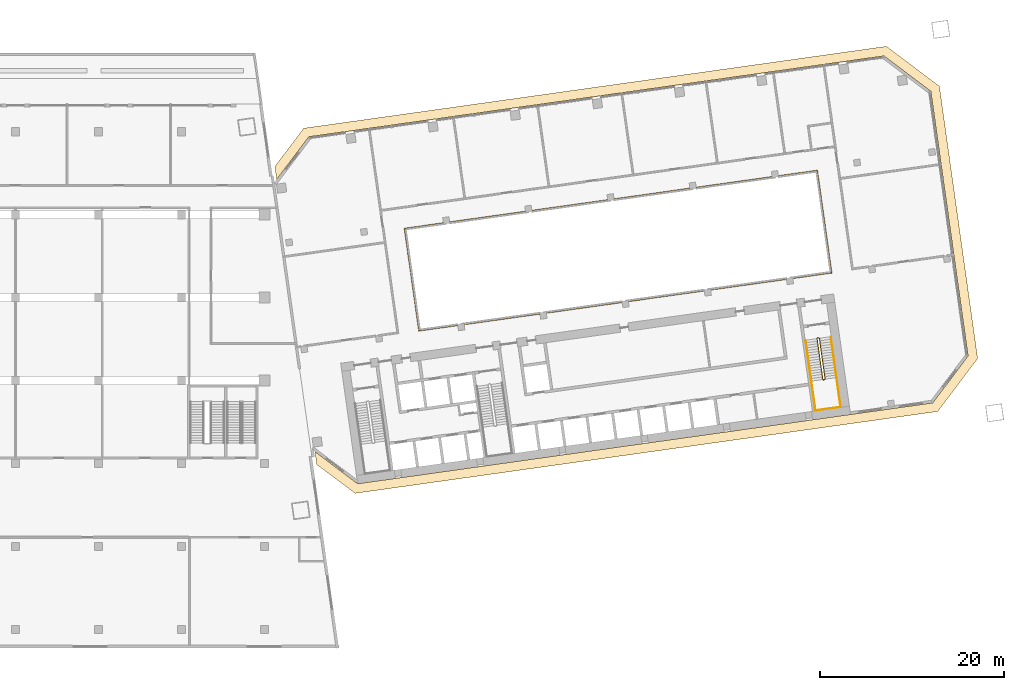
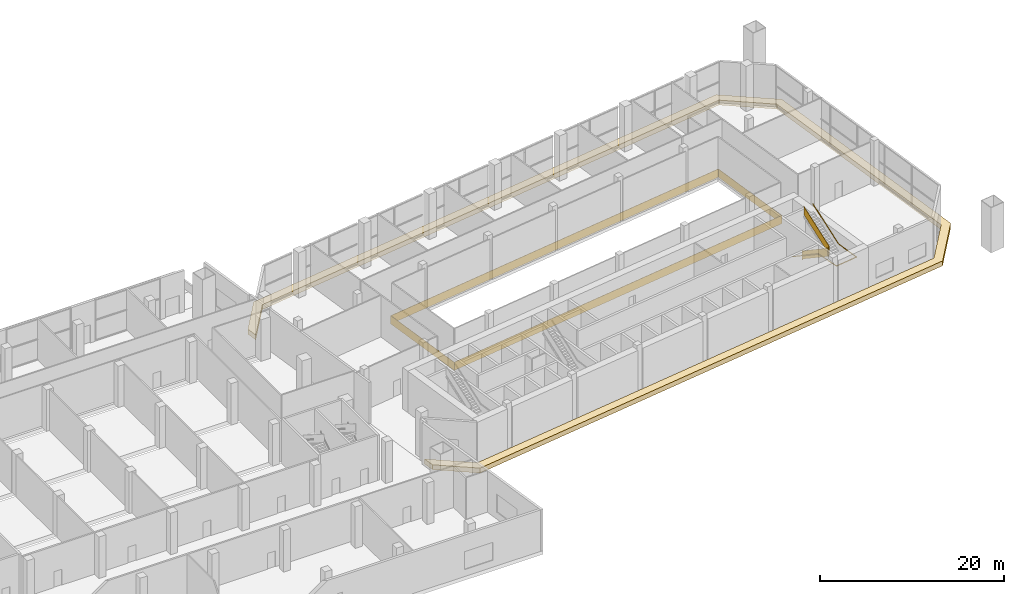
# One storey, part 24 of 24: 3 railings, 1 covering.
"""IFC4 building model written with IfcOpenShell, lengths in metres."""

from ifc_helpers import new_model, si_unit, direction, frame, origin, origin_2d, place, context, subcontext, project, spatial, polyline, rectangle, outline, extrude, material, layer, layer_set, type_object, element, save


model = new_model("IFC4")

# Units and contexts
model_context = context("Model", 3, precision=1e-05, world=origin(), true_north=direction((0.0, 1.0)))
body_context = subcontext(model_context, "Body", "Model", "MODEL_VIEW")
ifc_project = project(units=[si_unit("LENGTHUNIT", "METRE"), si_unit("AREAUNIT", "SQUARE_METRE"), si_unit("VOLUMEUNIT", "CUBIC_METRE"), si_unit("PLANEANGLEUNIT", "RADIAN"), si_unit("MASSUNIT", "GRAM", prefix="KILO")], contexts=[model_context])

# Site, building, storey
site_placement = place(None, origin())
site = spatial("IfcSite", under=ifc_project, at=site_placement, CompositionType="ELEMENT")
building_placement = place(site_placement, origin())
building = spatial("IfcBuilding", under=site, at=building_placement, Name="Mirante Cascada Hotel Towers", CompositionType="ELEMENT")
storey_placement = place(building_placement, frame((0.0, 0.0, 17.5)))
storey = spatial("IfcBuildingStorey", under=building, at=storey_placement, Name="L02", CompositionType="ELEMENT", Elevation=17.5)

# Railing
ifc_material_1 = material(Name="Painted steel", Category="steel")
railing_type_1 = type_object("IfcRailingType", Name="Atrium edge guard 1100 steel balustrade", PredefinedType="GUARDRAIL", material=ifc_material_1)
railing_1_placement = place(storey_placement, frame((43.7567, -3.601, 0.0)))
element("IfcRailing", 1, at=railing_1_placement, inside=storey, type_object=railing_type_1, Name="Atrium guard T2 L02", PredefinedType="GUARDRAIL", context=body_context, shape_type="SweptSolid", body=[
    extrude(rectangle(XDim=0.048, YDim=0.048, at=origin_2d()), frame((0.0, 0.0, 1.076), z_axis=(0.9902681, 0.1391726, 0.0), x_axis=(-0.1391726, 0.9902681, 0.0)), (0.0, 0.0, 1.0), 45.2),
    extrude(rectangle(XDim=0.02, YDim=1.052, at=origin_2d()), frame((0.0, 0.0, 0.526), z_axis=(0.9902681, 0.1391726, 0.0), x_axis=(-0.1391726, 0.9902681, 0.0)), (0.0, 0.0, 1.0), 45.2),
    extrude(rectangle(XDim=0.048, YDim=0.048, at=origin_2d()), frame((44.7601, 6.2906, 1.076), z_axis=(-0.1391697, 0.9902685, 0.0), x_axis=(-0.9902685, -0.1391697, 0.0)), (0.0, 0.0, 1.0), 11.2),
    extrude(rectangle(XDim=0.02, YDim=1.052, at=origin_2d()), frame((44.7601, 6.2906, 0.526), z_axis=(-0.1391697, 0.9902685, 0.0), x_axis=(-0.9902685, -0.1391697, 0.0)), (0.0, 0.0, 1.0), 11.2),
    extrude(rectangle(XDim=0.048, YDim=0.048, at=origin_2d()), frame((43.2014, 17.3816, 1.076), z_axis=(-0.9902681, -0.1391726, 0.0), x_axis=(0.1391726, -0.9902681, 0.0)), (0.0, 0.0, 1.0), 45.2),
    extrude(rectangle(XDim=0.02, YDim=1.052, at=origin_2d()), frame((43.2014, 17.3816, 0.526), z_axis=(-0.9902681, -0.1391726, 0.0), x_axis=(0.1391726, -0.9902681, 0.0)), (0.0, 0.0, 1.0), 45.2),
    extrude(rectangle(XDim=0.048, YDim=0.048, at=origin_2d()), frame((-1.5587, 11.091, 1.076), z_axis=(0.1391697, -0.9902685, 0.0), x_axis=(0.9902685, 0.1391697, 0.0)), (0.0, 0.0, 1.0), 11.2),
    extrude(rectangle(XDim=0.02, YDim=1.052, at=origin_2d()), frame((-1.5587, 11.091, 0.526), z_axis=(0.1391697, -0.9902685, 0.0), x_axis=(0.9902685, 0.1391697, 0.0)), (0.0, 0.0, 1.0), 11.2),
])

# Covering
ifc_material_2 = material(Name="Precast concrete C40/50 white", Category="concrete")
ifc_layer = layer(ifc_material_2, 0.6)
ifc_layer_set = layer_set([ifc_layer], Name="Precast concrete SUNSHADE band 1000x600")
covering_type = type_object("IfcCoveringType", Name="Precast concrete SUNSHADE band 1000x600", PredefinedType="CLADDING", material=ifc_layer_set)
covering_placement = place(storey_placement, frame((0.0, 0.0, -0.5)))
element("IfcCovering", 2, at=covering_placement, inside=storey, type_object=covering_type, Name="Precast concrete SUNSHADE band T2 L02", PredefinedType="CLADDING", context=body_context, shape_type="SweptSolid", body=[
    extrude(outline(polyline([(94.4698, 27.2572), (100.2139, 22.9287), (104.3652, -6.6094), (100.0367, -12.3535), (36.8295, -21.2367), (32.6666, -18.0998), (32.4698, -16.6993), (37.1005, -20.1888), (99.4874, -11.4209), (103.3173, -6.3384), (99.2813, 22.3794), (94.1988, 26.2093), (31.8119, 17.4414), (28.3224, 12.8107), (28.1256, 14.2111), (31.2626, 18.374), (94.4698, 27.2572)])), origin(), (0.0, 0.0, 1.0), 0.65),
])

# Railings
ifc_material_3 = material(Name="Painted steel", Category="steel")
railing_type_2 = type_object("IfcRailingType", Name="Stair guard 1100 steel balustrade", PredefinedType="GUARDRAIL", material=ifc_material_3)
railing_2_placement = place(storey_placement, frame((87.1361, -4.3713, 0.0)))
element("IfcRailing", 3, at=railing_2_placement, inside=storey, type_object=railing_type_2, Name="L02 ST2-C stair guard 1", PredefinedType="GUARDRAIL", context=body_context, shape_type="SweptSolid", body=[
    extrude(rectangle(XDim=0.048, YDim=0.048, at=origin_2d()), frame((0.0, 0.0, 1.076), z_axis=(-0.9902537, -0.1392753, 0.0), x_axis=(0.1392753, -0.9902537, 0.0)), (0.0, 0.0, 1.0), 0.1501),
    extrude(rectangle(XDim=0.02, YDim=1.052, at=origin_2d()), frame((0.0, 0.0, 0.526), z_axis=(-0.9902537, -0.1392753, 0.0), x_axis=(0.1392753, -0.9902537, 0.0)), (0.0, 0.0, 1.0), 0.1501),
    extrude(rectangle(XDim=0.048, YDim=0.048, at=origin_2d()), frame((-0.1486, -0.0209, 1.076), z_axis=(-0.601811, -0.7986386, 0.0), x_axis=(0.7986386, -0.601811, 0.0)), (0.0, 0.9284401, 0.3714822), 0.1901),
    extrude(rectangle(XDim=0.02, YDim=1.052, at=origin_2d()), frame((-0.1486, -0.0209, 0.526), z_axis=(-0.601811, -0.7986386, 0.0), x_axis=(0.7986386, -0.601811, 0.0)), (0.0, 0.9284401, 0.3714822), 0.1901),
    extrude(rectangle(XDim=0.048, YDim=0.048, at=origin_2d()), frame((-0.1911, -0.0773, 1.2525), z_axis=(0.1391741, -0.9902679, 0.0), x_axis=(0.9902679, 0.1391741, 0.0)), (0.0, 0.5331864, 0.8459978), 5.2955),
    extrude(rectangle(XDim=0.02, YDim=1.052, at=origin_2d()), frame((-0.1911, -0.0773, 0.7025), z_axis=(0.1391741, -0.9902679, 0.0), x_axis=(0.9902679, 0.1391741, 0.0)), (0.0, 0.5331864, 0.8459978), 5.2955),
    extrude(rectangle(XDim=0.048, YDim=0.048, at=origin_2d()), frame((0.4324, -4.5137, 4.076), z_axis=(0.9944441, -0.1052656, 0.0), x_axis=(0.1052656, 0.9944441, 0.0)), (0.0, 0.0, 1.0), 0.2061),
    extrude(rectangle(XDim=0.02, YDim=1.052, at=origin_2d()), frame((0.4324, -4.5137, 3.526), z_axis=(0.9944441, -0.1052656, 0.0), x_axis=(0.1052656, 0.9944441, 0.0)), (0.0, 0.0, 1.0), 0.2061),
    extrude(rectangle(XDim=0.048, YDim=0.048, at=origin_2d()), frame((0.6374, -4.5354, 4.076), z_axis=(-0.9902537, -0.1392753, 0.0), x_axis=(0.1392753, -0.9902537, 0.0)), (0.0, 0.0, 1.0), 0.1501),
    extrude(rectangle(XDim=0.02, YDim=1.052, at=origin_2d()), frame((0.6374, -4.5354, 3.526), z_axis=(-0.9902537, -0.1392753, 0.0), x_axis=(0.1392753, -0.9902537, 0.0)), (0.0, 0.0, 1.0), 0.1501),
    extrude(rectangle(XDim=0.048, YDim=0.048, at=origin_2d()), frame((0.4888, -4.5563, 4.076), z_axis=(0.9268624, 0.3754011, 0.0), x_axis=(-0.3754011, 0.9268624, 0.0)), (0.0, 0.6503128, 0.7596665), 0.2714),
    extrude(rectangle(XDim=0.02, YDim=1.052, at=origin_2d()), frame((0.4888, -4.5563, 3.526), z_axis=(0.9268624, 0.3754011, 0.0), x_axis=(-0.3754011, 0.9268624, 0.0)), (0.0, 0.6503128, 0.7596665), 0.2714),
    extrude(rectangle(XDim=0.048, YDim=0.048, at=origin_2d()), frame((0.6799, -4.4789, 4.2525), z_axis=(-0.1391741, 0.9902679, 0.0), x_axis=(-0.9902679, -0.1391741, 0.0)), (0.0, 0.5331864, 0.8459978), 5.2955),
    extrude(rectangle(XDim=0.02, YDim=1.052, at=origin_2d()), frame((0.6799, -4.4789, 3.7025), z_axis=(-0.1391741, 0.9902679, 0.0), x_axis=(-0.9902679, -0.1391741, 0.0)), (0.0, 0.5331864, 0.8459978), 5.2955),
])
ifc_material_4 = material(Name="Painted steel", Category="steel")
railing_type_3 = type_object("IfcRailingType", Name="Stair handrail 900 steel tube", PredefinedType="HANDRAIL", material=ifc_material_4)
railing_3_placement = place(storey_placement, frame((85.7071, -4.6226, 0.1765)))
element("IfcRailing", 4, at=railing_3_placement, inside=storey, type_object=railing_type_3, Name="L02 ST2-C stair handrail 1", PredefinedType="HANDRAIL", context=body_context, shape_type="SweptSolid", body=[
    extrude(rectangle(XDim=0.048, YDim=0.048, at=origin_2d()), frame((0.0, 0.0, 0.876), z_axis=(0.1391741, -0.9902679, 0.0), x_axis=(0.9902679, 0.1391741, 0.0)), (0.0, 0.5331864, 0.8459978), 5.2955),
    extrude(rectangle(XDim=0.048, YDim=0.048, at=origin_2d()), frame((0.6234, -4.4354, 3.6994), z_axis=(0.1391906, -0.9902656, 0.0), x_axis=(0.9902656, 0.1391906, 0.0)), (0.0, 0.0547307, 0.9985011), 3.2259),
    extrude(rectangle(XDim=0.048, YDim=0.048, at=origin_2d()), frame((1.0717, -7.6251, 3.876), z_axis=(0.9902641, 0.1392013, 0.0), x_axis=(-0.1392013, 0.9902641, 0.0)), (0.0, 0.0, 1.0), 2.75),
    extrude(rectangle(XDim=0.048, YDim=0.048, at=origin_2d()), frame((3.7949, -7.2423, 3.876), z_axis=(-0.1391644, 0.9902693, 0.0), x_axis=(-0.9902693, -0.1391644, 0.0)), (0.0, 0.0, 1.0), 3.2199),
    extrude(rectangle(XDim=0.048, YDim=0.048, at=origin_2d()), frame((3.3469, -4.0545, 3.8755), z_axis=(-0.1391741, 0.9902679, 0.0), x_axis=(-0.9902679, -0.1391741, 0.0)), (0.0, 0.5331864, 0.8459978), 5.2965),
])

save(model, "model.ifc")
